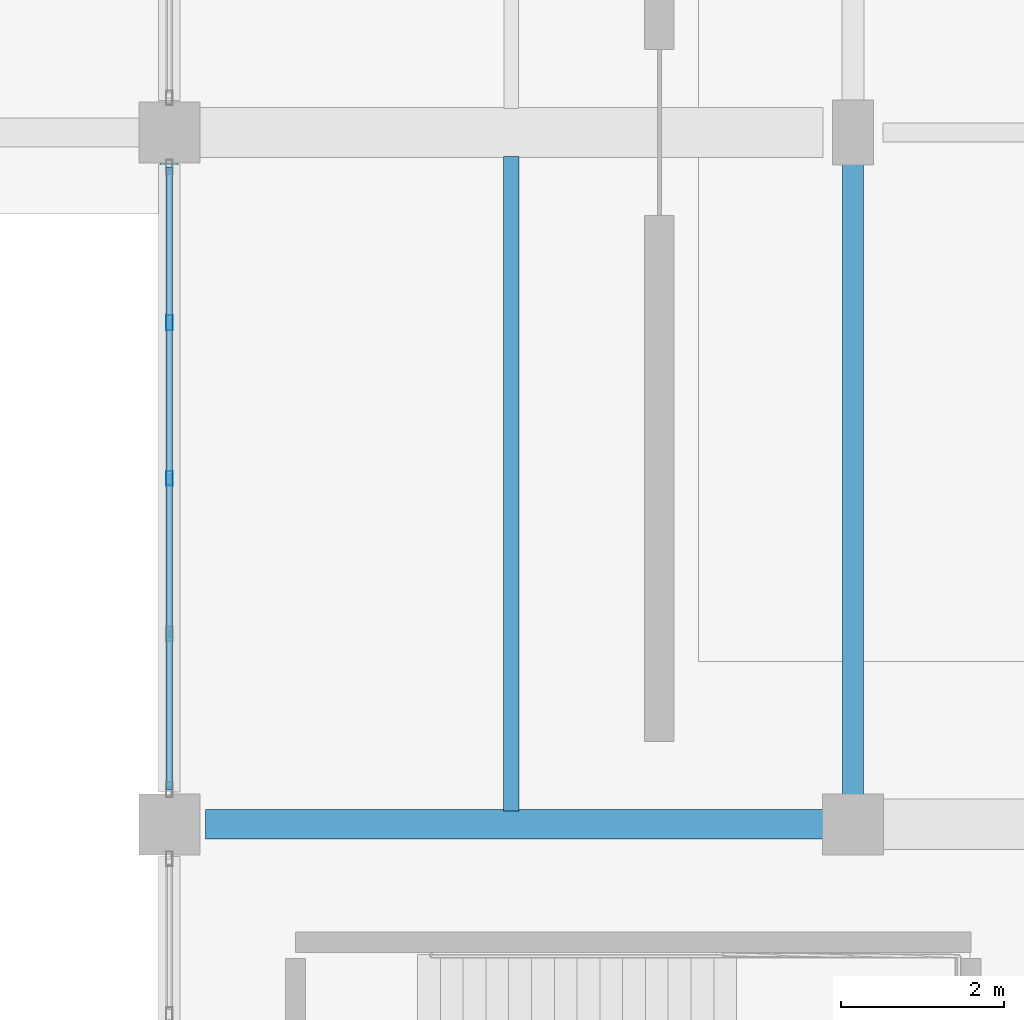
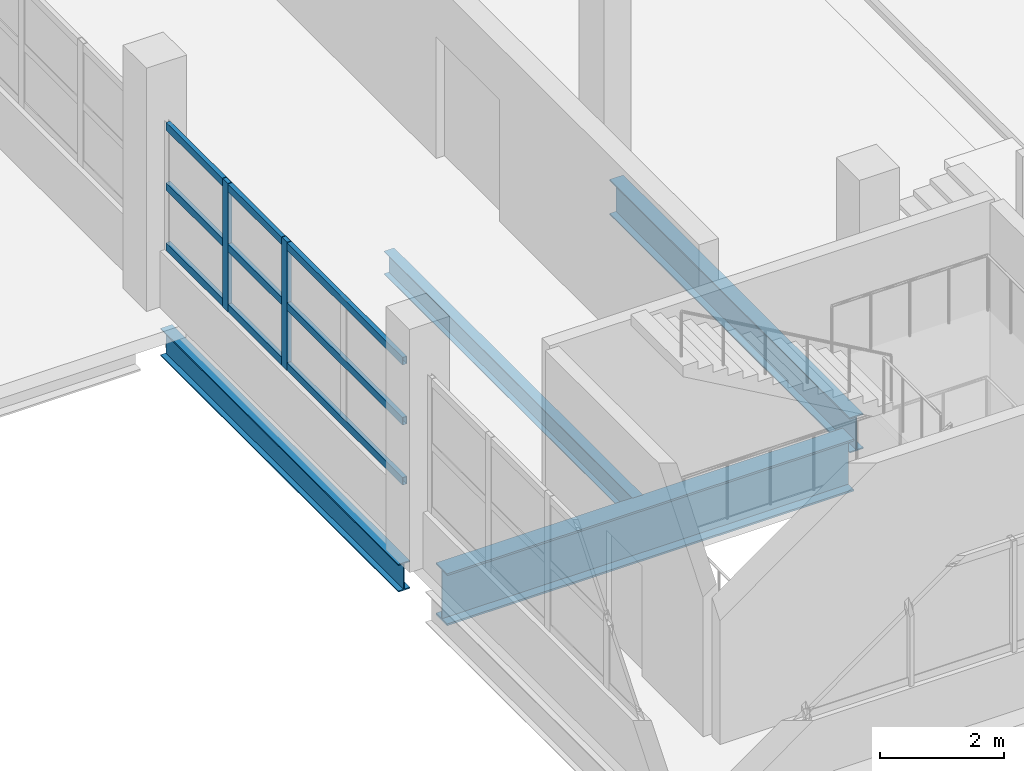
# One storey, part 49 of 117: 5 members, 4 beams, 1 element without a shape of its own.
"""IFC4 building model written with IfcOpenShell, lengths in metres."""

from ifc_helpers import new_model, si_unit, direction, frame, origin, origin_2d, place, context, subcontext, project, spatial, hollow_rectangle, i_section, extrude, material, material_profile, profile_set, type_object, element, aggregate, save


model = new_model("IFC4")

# Units and contexts
model_context = context("Model", 3, precision=1e-05, world=origin(), true_north=direction((0.0, 1.0)))
body_context = subcontext(model_context, "Body", "Model", "MODEL_VIEW")
ifc_project = project(units=[si_unit("LENGTHUNIT", "METRE"), si_unit("AREAUNIT", "SQUARE_METRE"), si_unit("VOLUMEUNIT", "CUBIC_METRE"), si_unit("PLANEANGLEUNIT", "RADIAN"), si_unit("MASSUNIT", "GRAM", prefix="KILO")], contexts=[model_context])

# Site, building, storey
site_placement = place(None, origin())
site = spatial("IfcSite", under=ifc_project, at=site_placement, CompositionType="ELEMENT")
building_placement = place(site_placement, origin())
building = spatial("IfcBuilding", under=site, at=building_placement, Name="Solvento Point Concert Hall", CompositionType="ELEMENT")
storey_placement = place(building_placement, frame((0.0, 0.0, 5.39990234375)))
storey = spatial("IfcBuildingStorey", under=building, at=storey_placement, Name="L01", CompositionType="ELEMENT", Elevation=5.39990234375)

# Beams
ifc_material_1 = material(Name="Structural Steel ASTM A992 Grade 50", Category="steel")
ifc_material_profile_1 = material_profile(ifc_material_1, i_section(OverallWidth=0.214111328125, OverallDepth=0.549072265625, WebThickness=0.0146484375, FlangeThickness=0.023681640625, at=origin_2d()), Name="W21X93")
ifc_profile_set_1 = profile_set([ifc_material_profile_1], Name="Structural Steel ASTM A992 Grade 50")
beam_type_1 = type_object("IfcBeamType", Name="Beam_W21X93", PredefinedType="BEAM", material=ifc_profile_set_1)
beam_1_placement = place(storey_placement, frame((150.0, 8.944091796875, -0.698486328125), z_axis=(0.0, 1.0, 0.0), x_axis=(-1.0, 0.0, 0.0)))
element("IfcBeam", 1, at=beam_1_placement, inside=storey, type_object=beam_type_1, Name="Primary girder B-48 L01", PredefinedType="BEAM", context=body_context, shape_type="SweptSolid", body=[
    extrude(i_section(OverallWidth=0.214111328125, OverallDepth=0.549072265625, WebThickness=0.0146484375, FlangeThickness=0.023681640625, at=origin_2d()), origin(), (0.0, 0.0, 1.0), 7.68701171875),
])
ifc_material_2 = material(Name="Structural Steel ASTM A992 Grade 50", Category="steel")
ifc_material_profile_2 = material_profile(ifc_material_2, i_section(OverallWidth=0.256103515625, OverallDepth=0.693115234375, WebThickness=0.014404296875, FlangeThickness=0.023681640625, at=origin_2d()), Name="W27X114")
ifc_profile_set_2 = profile_set([ifc_material_profile_2], Name="Structural Steel ASTM A992 Grade 50")
beam_type_2 = type_object("IfcBeamType", Name="Girder_W27X114", PredefinedType="USERDEFINED", material=ifc_profile_set_2)
beam_2_placement = place(storey_placement, frame((158.39990234375, 8.868896484375, -0.7705078125), z_axis=(0.0, 1.0, 0.0), x_axis=(-1.0, 0.0, 0.0)))
element("IfcBeam", 2, at=beam_2_placement, inside=storey, type_object=beam_type_2, Name="Primary girder B-23 L01", ObjectType="GIRDER", PredefinedType="USERDEFINED", context=body_context, shape_type="SweptSolid", body=[
    extrude(i_section(OverallWidth=0.256103515625, OverallDepth=0.693115234375, WebThickness=0.014404296875, FlangeThickness=0.023681640625, at=origin_2d()), origin(), (0.0, 0.0, 1.0), 7.76220703125),
])
ifc_material_3 = material(Name="Structural Steel ASTM A992 Grade 50", Category="steel")
ifc_material_profile_3 = material_profile(ifc_material_3, i_section(OverallWidth=0.361083984375, OverallDepth=1.02587890625, WebThickness=0.01904296875, FlangeThickness=0.0361328125, at=origin_2d()), Name="W40X249")
ifc_profile_set_3 = profile_set([ifc_material_profile_3], Name="Structural Steel ASTM A992 Grade 50")
beam_type_3 = type_object("IfcBeamType", Name="Girder_W40X249", PredefinedType="USERDEFINED", material=ifc_profile_set_3)
beam_3_placement = place(storey_placement, frame((150.444091796875, 8.5, -0.93701171875), z_axis=(1.0, 0.0, 0.0), x_axis=(0.0, 1.0, 0.0)))
element("IfcBeam", 3, at=beam_3_placement, inside=storey, type_object=beam_type_3, Name="Primary girder B-29 L01", ObjectType="GIRDER", PredefinedType="USERDEFINED", context=body_context, shape_type="SweptSolid", body=[
    extrude(i_section(OverallWidth=0.361083984375, OverallDepth=1.02587890625, WebThickness=0.01904296875, FlangeThickness=0.0361328125, at=origin_2d()), origin(), (0.0, 0.0, 1.0), 7.5869140625),
])
ifc_material_4 = material(Name="Structural Steel ASTM A992 Grade 50", Category="steel")
ifc_material_profile_4 = material_profile(ifc_material_4, i_section(OverallWidth=0.1904296875, OverallDepth=0.45703125, WebThickness=0.009033203125, FlangeThickness=0.014404296875, at=origin_2d()), Name="W18X50")
ifc_profile_set_4 = profile_set([ifc_material_profile_4], Name="Structural Steel ASTM A992 Grade 50")
beam_type_4 = type_object("IfcBeamType", Name="Joist_W18X50", PredefinedType="JOIST", material=ifc_profile_set_4)
beam_4_placement = place(storey_placement, frame((154.199951171875, 8.66552734375, -0.65234375), z_axis=(0.0, 1.0, 0.0), x_axis=(-1.0, 0.0, 0.0)))
element("IfcBeam", 4, at=beam_4_placement, inside=storey, type_object=beam_type_4, Name="Secondary floor joist B-66 L01", PredefinedType="JOIST", context=body_context, shape_type="SweptSolid", body=[
    extrude(i_section(OverallWidth=0.1904296875, OverallDepth=0.45703125, WebThickness=0.009033203125, FlangeThickness=0.014404296875, at=origin_2d()), origin(), (0.0, 0.0, 1.0), 8.03955078125),
])

# Curtain wall, members
ifc_material_5 = material(Name="Anodized Bronze Aluminium", Category="aluminium")
curtain_wall_type = type_object("IfcCurtainWallType", Name="CurtainWall_ChamberCircle", PredefinedType="USERDEFINED", material=ifc_material_5)
curtain_wall_placement = place(storey_placement, origin())
curtain_wall = element("IfcCurtainWall", 5, at=curtain_wall_placement, inside=storey, type_object=curtain_wall_type, Name="Unitised curtain wall CW-32 UCW-L01-074", ObjectType="UNITISED CURTAIN WALL", PredefinedType="USERDEFINED")
ifc_material_6 = material(Name="Anodized Bronze Aluminium", Category="aluminium")
ifc_material_profile_5 = material_profile(ifc_material_6, hollow_rectangle(XDim=0.080078125, YDim=0.179931640625, WallThickness=0.00390625, at=origin_2d()), Name="CW-MUL-80X180")
ifc_profile_set_5 = profile_set([ifc_material_profile_5], Name="Anodized Bronze Aluminium")
member_type_1 = type_object("IfcMemberType", Name="Mullion_80x180", PredefinedType="MULLION", material=ifc_profile_set_5)
member_1_placement = place(storey_placement, frame((150.0, 12.75, 1.1201171875), z_axis=(0.0, 0.0, 1.0), x_axis=(1.0, 0.0, 0.0)))
member_1 = element("IfcMember", 6, at=member_1_placement, type_object=member_type_1, Name="Curtain wall mullion ML-01", PredefinedType="MULLION", context=body_context, shape_type="SweptSolid", body=[
    extrude(hollow_rectangle(XDim=0.080078125, YDim=0.179931640625, WallThickness=0.00390625, at=origin_2d()), origin(), (0.0, 0.0, 1.0), 2.531005859375),
])
member_2_placement = place(storey_placement, frame((150.0, 14.66259765625, 1.1201171875), z_axis=(0.0, 0.0, 1.0), x_axis=(1.0, 0.0, 0.0)))
member_2 = element("IfcMember", 7, at=member_2_placement, type_object=member_type_1, Name="Curtain wall mullion ML-01", PredefinedType="MULLION", context=body_context, shape_type="SweptSolid", body=[
    extrude(hollow_rectangle(XDim=0.080078125, YDim=0.179931640625, WallThickness=0.00390625, at=origin_2d()), origin(), (0.0, 0.0, 1.0), 2.531005859375),
])
ifc_material_7 = material(Name="Anodized Bronze Aluminium", Category="aluminium")
ifc_material_profile_6 = material_profile(ifc_material_7, hollow_rectangle(XDim=0.080078125, YDim=0.14990234375, WallThickness=0.00390625, at=origin_2d()), Name="CW-TRN-80X150")
ifc_profile_set_6 = profile_set([ifc_material_profile_6], Name="Anodized Bronze Aluminium")
member_type_2 = type_object("IfcMemberType", Name="Transom_80x150", PredefinedType="USERDEFINED", material=ifc_profile_set_6)
member_3_placement = place(storey_placement, frame((150.0, 8.925048828125, 1.2001953125), z_axis=(0.0, 1.0, 0.0), x_axis=(-1.0, 0.0, 0.0)))
member_3 = element("IfcMember", 8, at=member_3_placement, type_object=member_type_2, Name="Curtain wall transom TR-01", ObjectType="TRANSOM", PredefinedType="USERDEFINED", context=body_context, shape_type="SweptSolid", body=[
    extrude(hollow_rectangle(XDim=0.080078125, YDim=0.14990234375, WallThickness=0.00390625, at=origin_2d()), origin(), (0.0, 0.0, 1.0), 7.64990234375),
])
member_4_placement = place(storey_placement, frame((150.0, 8.925048828125, 2.385498046875), z_axis=(0.0, 1.0, 0.0), x_axis=(-1.0, 0.0, 0.0)))
member_4 = element("IfcMember", 9, at=member_4_placement, type_object=member_type_2, Name="Curtain wall transom TR-01", ObjectType="TRANSOM", PredefinedType="USERDEFINED", context=body_context, shape_type="SweptSolid", body=[
    extrude(hollow_rectangle(XDim=0.080078125, YDim=0.14990234375, WallThickness=0.00390625, at=origin_2d()), origin(), (0.0, 0.0, 1.0), 7.64990234375),
])
member_5_placement = place(storey_placement, frame((150.0, 8.925048828125, 3.571044921875), z_axis=(0.0, 1.0, 0.0), x_axis=(-1.0, 0.0, 0.0)))
member_5 = element("IfcMember", 10, at=member_5_placement, type_object=member_type_2, Name="Curtain wall transom TR-01", ObjectType="TRANSOM", PredefinedType="USERDEFINED", context=body_context, shape_type="SweptSolid", body=[
    extrude(hollow_rectangle(XDim=0.080078125, YDim=0.14990234375, WallThickness=0.00390625, at=origin_2d()), origin(), (0.0, 0.0, 1.0), 7.64990234375),
])
aggregate(curtain_wall, [member_1, member_2, member_3, member_4, member_5])

save(model, "model.ifc")
